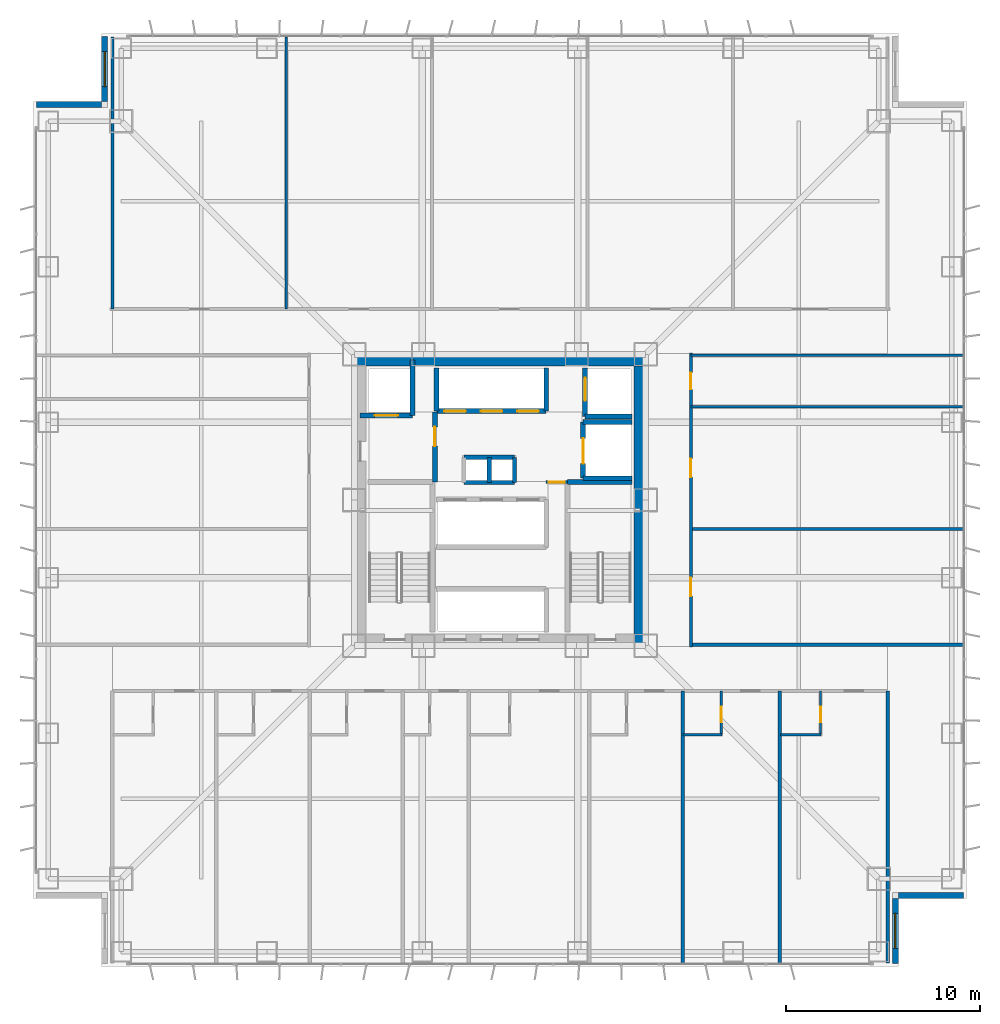
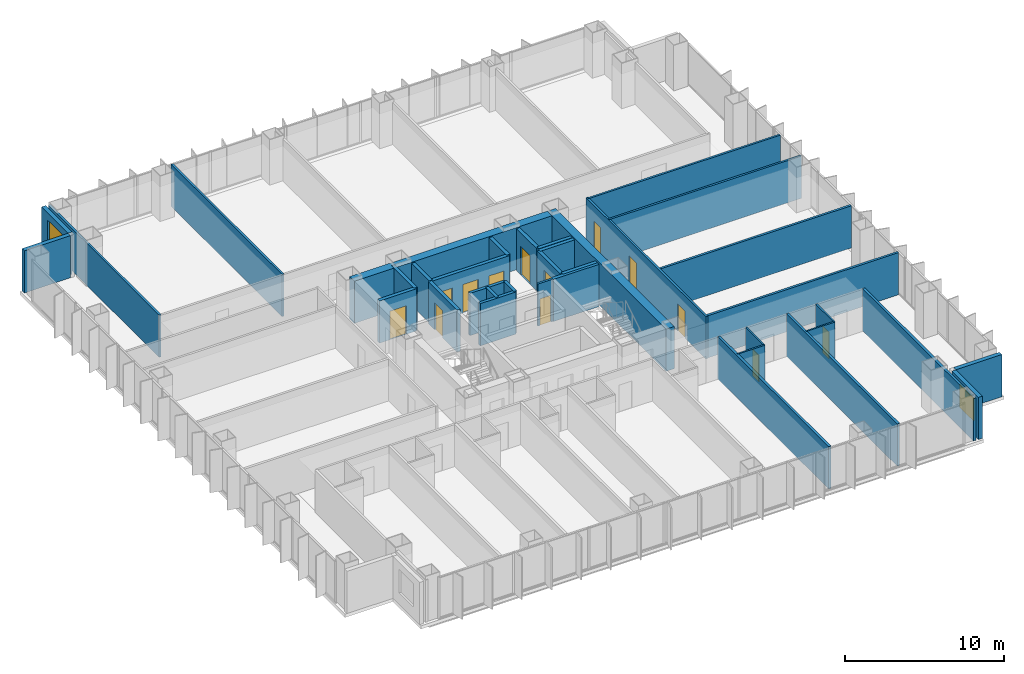
# One storey, part 15 of 19: 37 walls, 13 doors, 2 windows, 15 openings.
"""IFC4 building model written with IfcOpenShell, lengths in metres."""

from ifc_helpers import new_model, si_unit, direction, frame, frame_2d, origin, place, context, subcontext, project, spatial, rectangle, extrude, material, layer, layer_set, type_object, element, fill, save


model = new_model("IFC4")

# Units and contexts
model_context = context("Model", 3, precision=1e-05, world=origin(), true_north=direction((0.0, 1.0)))
body_context = subcontext(model_context, "Body", "Model", "MODEL_VIEW")
ifc_project = project(units=[si_unit("LENGTHUNIT", "METRE"), si_unit("AREAUNIT", "SQUARE_METRE"), si_unit("VOLUMEUNIT", "CUBIC_METRE"), si_unit("PLANEANGLEUNIT", "RADIAN"), si_unit("MASSUNIT", "GRAM", prefix="KILO")], contexts=[model_context])

# Site, building, storey
site_placement = place(None, origin())
site = spatial("IfcSite", under=ifc_project, at=site_placement, CompositionType="ELEMENT")
building_placement = place(site_placement, origin())
building = spatial("IfcBuilding", under=site, at=building_placement, Name="Trevonay Congress Spire", CompositionType="ELEMENT")
storey_placement = place(building_placement, frame((0.0, 0.0, 58.5)))
storey = spatial("IfcBuildingStorey", under=building, at=storey_placement, Name="L14", CompositionType="ELEMENT", Elevation=58.5)

# Wall, opening, door
ifc_material_1 = material(Name="Concrete C40/50", Category="concrete")
ifc_layer_1 = layer(ifc_material_1, 0.1201171875, Name="Concrete C40/50")
ifc_layer_set_1 = layer_set([ifc_layer_1], Name="Concrete C40/50")
wall_type_1 = type_object("IfcWallType", Name="WAL-BATH-120", PredefinedType="PLUMBINGWALL", material=ifc_layer_set_1)
wall_1_placement = place(storey_placement, frame((11.388916015625, -12.080078125, 0.0), z_axis=(0.0, 0.0, 1.0), x_axis=(0.0, 1.0, 0.0)))
wall_1 = element("IfcWall", 1, at=wall_1_placement, inside=storey, type_object=wall_type_1, Name="L14 interior wall WH-L14S-BS7", PredefinedType="PLUMBINGWALL", context=body_context, shape_type="SweptSolid", body=[
    extrude(rectangle(XDim=2.25, YDim=0.1201171875, at=frame_2d((1.125, 0.0))), origin(), (0.0, 0.0, 1.0), 3.25),
])
opening_1_placement = place(wall_1_placement, frame((0.64990234375, 0.0, 0.0)))
opening_1 = element("IfcOpeningElement", 2, at=opening_1_placement, cuts=wall_1, Name="Opening D11", PredefinedType="OPENING", context=body_context, shape_type="SweptSolid", body=[
    extrude(rectangle(XDim=0.800048828125, YDim=2.050048828125, at=frame_2d((0.39990234375, 1.02490234375))), frame((0.0, 0.070068359375, 0.0), z_axis=(0.0, -1.0, 0.0), x_axis=(1.0, 0.0, 0.0)), (0.0, 0.0, 1.0), 0.14013671875),
])
ifc_material_2 = material(Name="Pale Anodised Aluminium EN AW-6063-T6", Category="aluminium")
door_type_1 = type_object("IfcDoorType", Name="DOR-BATH-80", OperationType="NOTDEFINED", PredefinedType="DOOR", material=ifc_material_2)
door_1_placement = place(opening_1_placement, origin())
door_1 = element("IfcDoor", 3, at=door_1_placement, inside=storey, type_object=door_type_1, Name="L14 En-suite Bathroom Door", OperationType="SINGLE_SWING_LEFT", OverallHeight=2.050048828125, OverallWidth=0.800048828125, PredefinedType="DOOR", context=body_context, shape_type="SweptSolid", body=[
    extrude(rectangle(XDim=0.800048828125, YDim=2.050048828125, at=frame_2d((0.39990234375, 1.02490234375))), frame((0.0, 0.02490234375, 0.0), z_axis=(0.0, -1.0, 0.0), x_axis=(1.0, 0.0, 0.0)), (0.0, 0.0, 1.0), 0.050048828125),
])
fill(opening_1, door_1)

# Wall
wall_2_placement = place(storey_placement, frame((9.429931640625, -12.080078125, 0.0), z_axis=(0.0, 0.0, 1.0), x_axis=(1.0, 0.0, 0.0)))
element("IfcWall", 4, at=wall_2_placement, inside=storey, type_object=wall_type_1, Name="L14 interior wall WH-L14S-BF7", PredefinedType="PLUMBINGWALL", context=body_context, shape_type="SweptSolid", body=[
    extrude(rectangle(XDim=1.989013671875, YDim=0.1201171875, at=frame_2d((0.99462890625, 0.0))), origin(), (0.0, 0.0, 1.0), 3.25),
])

# Wall, opening, door
wall_3_placement = place(storey_placement, frame((16.5, -12.080078125, 0.0), z_axis=(0.0, 0.0, 1.0), x_axis=(0.0, 1.0, 0.0)))
wall_3 = element("IfcWall", 5, at=wall_3_placement, inside=storey, type_object=wall_type_1, Name="L14 interior wall WH-L14S-BS8", PredefinedType="PLUMBINGWALL", context=body_context, shape_type="SweptSolid", body=[
    extrude(rectangle(XDim=2.25, YDim=0.1201171875, at=frame_2d((1.125, 0.0))), origin(), (0.0, 0.0, 1.0), 3.25),
])
opening_2_placement = place(wall_3_placement, frame((0.64990234375, 0.0, 0.0)))
opening_2 = element("IfcOpeningElement", 6, at=opening_2_placement, cuts=wall_3, Name="Opening D11", PredefinedType="OPENING", context=body_context, shape_type="SweptSolid", body=[
    extrude(rectangle(XDim=0.800048828125, YDim=2.050048828125, at=frame_2d((0.39990234375, 1.02490234375))), frame((0.0, 0.070068359375, 0.0), z_axis=(0.0, -1.0, 0.0), x_axis=(1.0, 0.0, 0.0)), (0.0, 0.0, 1.0), 0.14013671875),
])
door_2_placement = place(opening_2_placement, origin())
door_2 = element("IfcDoor", 7, at=door_2_placement, inside=storey, type_object=door_type_1, Name="L14 En-suite Bathroom Door", OperationType="SINGLE_SWING_RIGHT", OverallHeight=2.050048828125, OverallWidth=0.800048828125, PredefinedType="DOOR", context=body_context, shape_type="SweptSolid", body=[
    extrude(rectangle(XDim=0.800048828125, YDim=2.050048828125, at=frame_2d((0.39990234375, 1.02490234375))), frame((0.0, 0.02490234375, 0.0), z_axis=(0.0, -1.0, 0.0), x_axis=(1.0, 0.0, 0.0)), (0.0, 0.0, 1.0), 0.050048828125),
])
fill(opening_2, door_2)

# Walls
wall_4_placement = place(storey_placement, frame((14.429931640625, -12.080078125, 0.0), z_axis=(0.0, 0.0, 1.0), x_axis=(1.0, 0.0, 0.0)))
element("IfcWall", 8, at=wall_4_placement, inside=storey, type_object=wall_type_1, Name="L14 interior wall WH-L14S-BF8", PredefinedType="PLUMBINGWALL", context=body_context, shape_type="SweptSolid", body=[
    extrude(rectangle(XDim=2.10009765625, YDim=0.1201171875, at=frame_2d((1.050048828125, 0.0))), origin(), (0.0, 0.0, 1.0), 3.25),
])
ifc_material_3 = material(Name="Concrete C60/75", Category="concrete")
ifc_layer_2 = layer(ifc_material_3, 0.60009765625, Name="Concrete C60/75")
ifc_layer_set_2 = layer_set([ifc_layer_2], Name="Concrete C60/75")
wall_type_2 = type_object("IfcWallType", Name="WAL-CORE-600", PredefinedType="SHEAR", material=ifc_layer_set_2)
for number, where, z_axis, x_axis, name in (
    (9, (-7.5, 7.199951171875, 0.0), (0.0, 0.0, 1.0), (1.0, 0.0, 0.0), "L14 North structural core shear wall"),
    (10, (7.199951171875, -7.5, 0.0), (0.0, 0.0, 1.0), (0.0, 1.0, 0.0), "L14 East structural core shear wall"),
):
    element("IfcWall", number, at=place(storey_placement, frame(where, z_axis=z_axis, x_axis=x_axis)), inside=storey, type_object=wall_type_2, Name=name, PredefinedType="SHEAR", context=body_context, shape_type="SweptSolid", body=[
        extrude(rectangle(XDim=15.0, YDim=0.60009765625, at=frame_2d((7.5, 0.0))), origin(), (0.0, 0.0, 1.0), 3.25),
    ])

# Wall, openings, doors
ifc_layer_3 = layer(ifc_material_1, 0.14990234375, Name="Concrete C40/50")
ifc_layer_set_3 = layer_set([ifc_layer_3], Name="Concrete C40/50")
wall_type_3 = type_object("IfcWallType", Name="WAL-CORR-150", PredefinedType="PARTITIONING", material=ifc_layer_set_3)
wall_5_placement = place(storey_placement, frame((9.830078125, -7.570068359375, 0.0), z_axis=(0.0, 0.0, 1.0), x_axis=(0.0, 1.0, 0.0)))
wall_5 = element("IfcWall", 11, at=wall_5_placement, inside=storey, type_object=wall_type_3, Name="L14 interior wall WP-L14E-COR", PredefinedType="PARTITIONING", context=body_context, shape_type="SweptSolid", body=[
    extrude(rectangle(XDim=15.14013671875, YDim=0.14990234375, at=frame_2d((7.570068359375, 0.0))), origin(), (0.0, 0.0, 1.0), 3.25),
])
opening_3_placement = place(wall_5_placement, frame((2.6201171875, 0.0, 0.0)))
opening_3 = element("IfcOpeningElement", 12, at=opening_3_placement, cuts=wall_5, Name="Opening D07", PredefinedType="OPENING", context=body_context, shape_type="SweptSolid", body=[
    extrude(rectangle(XDim=0.949951171875, YDim=2.06005859375, at=frame_2d((0.47509765625, 1.030029296875))), frame((0.0, 0.0849609375, 0.0), z_axis=(0.0, -1.0, 0.0), x_axis=(1.0, 0.0, 0.0)), (0.0, 0.0, 1.0), 0.169921875),
])
opening_4_placement = place(wall_5_placement, frame((8.7451171875, 0.0, 0.0)))
opening_4 = element("IfcOpeningElement", 13, at=opening_4_placement, cuts=wall_5, Name="Opening D07", PredefinedType="OPENING", context=body_context, shape_type="SweptSolid", body=[
    extrude(rectangle(XDim=0.949951171875, YDim=2.06005859375, at=frame_2d((0.47509765625, 1.030029296875))), frame((0.0, 0.0849609375, 0.0), z_axis=(0.0, -1.0, 0.0), x_axis=(1.0, 0.0, 0.0)), (0.0, 0.0, 1.0), 0.169921875),
])
opening_5_placement = place(wall_5_placement, frame((13.27001953125, 0.0, 0.0)))
opening_5 = element("IfcOpeningElement", 14, at=opening_5_placement, cuts=wall_5, Name="Opening D10", PredefinedType="OPENING", context=body_context, shape_type="SweptSolid", body=[
    extrude(rectangle(XDim=0.85009765625, YDim=2.050048828125, at=frame_2d((0.425048828125, 1.02490234375))), frame((0.0, 0.0849609375, 0.0), z_axis=(0.0, -1.0, 0.0), x_axis=(1.0, 0.0, 0.0)), (0.0, 0.0, 1.0), 0.169921875),
])
door_type_2 = type_object("IfcDoorType", Name="DOR-OFFICE-95", OperationType="NOTDEFINED", PredefinedType="DOOR", material=ifc_material_2)
door_3_placement = place(opening_3_placement, origin())
door_3 = element("IfcDoor", 15, at=door_3_placement, inside=storey, type_object=door_type_2, Name="L14 Housekeeping and Linen Room Door", OperationType="SINGLE_SWING_RIGHT", OverallHeight=2.06005859375, OverallWidth=0.949951171875, PredefinedType="DOOR", context=body_context, shape_type="SweptSolid", body=[
    extrude(rectangle(XDim=0.949951171875, YDim=2.06005859375, at=frame_2d((0.47509765625, 1.030029296875))), frame((0.0, 0.02490234375, 0.0), z_axis=(0.0, -1.0, 0.0), x_axis=(1.0, 0.0, 0.0)), (0.0, 0.0, 1.0), 0.050048828125),
])
fill(opening_3, door_3)
door_4_placement = place(opening_4_placement, origin())
door_4 = element("IfcDoor", 16, at=door_4_placement, inside=storey, type_object=door_type_2, Name="L14 Club Pantry Kitchen Door", OperationType="SINGLE_SWING_LEFT", OverallHeight=2.06005859375, OverallWidth=0.949951171875, PredefinedType="DOOR", context=body_context, shape_type="SweptSolid", body=[
    extrude(rectangle(XDim=0.949951171875, YDim=2.06005859375, at=frame_2d((0.47509765625, 1.030029296875))), frame((0.0, 0.02490234375, 0.0), z_axis=(0.0, -1.0, 0.0), x_axis=(1.0, 0.0, 0.0)), (0.0, 0.0, 1.0), 0.050048828125),
])
fill(opening_4, door_4)
door_type_3 = type_object("IfcDoorType", Name="DOR-WC-85", OperationType="NOTDEFINED", PredefinedType="DOOR", material=ifc_material_2)
door_5_placement = place(opening_5_placement, origin())
door_5 = element("IfcDoor", 17, at=door_5_placement, inside=storey, type_object=door_type_3, Name="L14 Female Restroom WC Door", OperationType="SINGLE_SWING_RIGHT", OverallHeight=2.050048828125, OverallWidth=0.85009765625, PredefinedType="DOOR", context=body_context, shape_type="SweptSolid", body=[
    extrude(rectangle(XDim=0.85009765625, YDim=2.050048828125, at=frame_2d((0.425048828125, 1.02490234375))), frame((0.0, 0.02490234375, 0.0), z_axis=(0.0, -1.0, 0.0), x_axis=(1.0, 0.0, 0.0)), (0.0, 0.0, 1.0), 0.050048828125),
])
fill(opening_5, door_5)

# Wall, opening, window
ifc_material_4 = material(Name="Precast concrete C40/50", Category="concrete")
ifc_layer_4 = layer(ifc_material_4, 0.300048828125, Name="Precast concrete C40/50")
ifc_layer_set_4 = layer_set([ifc_layer_4], Name="Precast concrete C40/50")
wall_type_4 = type_object("IfcWallType", Name="WAL-EXT-PRECAST-300", PredefinedType="SOLIDWALL", material=ifc_layer_set_4)
wall_6_placement = place(storey_placement, frame((20.35009765625, -23.85009765625, 0.0), z_axis=(0.0, 0.0, 1.0), x_axis=(0.0, 1.0, 0.0)))
wall_6 = element("IfcWall", 18, at=wall_6_placement, inside=storey, type_object=wall_type_4, Name="L14 SE re-entrant notch exterior wall 1", PredefinedType="SOLIDWALL", context=body_context, shape_type="SweptSolid", body=[
    extrude(rectangle(XDim=3.35009765625, YDim=0.300048828125, at=frame_2d((1.675048828125, 0.0))), origin(), (0.0, 0.0, 1.0), 3.25),
])
opening_6_placement = place(wall_6_placement, frame((0.77490234375, 0.0, 0.89990234375)))
opening_6 = element("IfcOpeningElement", 19, at=opening_6_placement, cuts=wall_6, Name="Opening WN01", PredefinedType="OPENING", context=body_context, shape_type="SweptSolid", body=[
    extrude(rectangle(XDim=1.800048828125, YDim=1.800048828125, at=frame_2d((0.89990234375, 0.89990234375))), frame((0.0, 0.16015625, 0.0), z_axis=(0.0, -1.0, 0.0), x_axis=(1.0, 0.0, 0.0)), (0.0, 0.0, 1.0), 0.320068359375),
])
ifc_material_5 = material(Name="Insulated Low-E Vision Glass IGU", Category="glass")
window_type = type_object("IfcWindowType", Name="WIN-HOTEL-180X180", PartitioningType="SINGLE_PANEL", PredefinedType="WINDOW", material=ifc_material_5)
window_1_placement = place(opening_6_placement, origin())
window_1 = element("IfcWindow", 20, at=window_1_placement, inside=storey, type_object=window_type, Name="L14 SE corner notch window", OverallHeight=1.800048828125, OverallWidth=1.800048828125, PartitioningType="SINGLE_PANEL", PredefinedType="WINDOW", context=body_context, shape_type="SweptSolid", body=[
    extrude(rectangle(XDim=1.800048828125, YDim=1.800048828125, at=frame_2d((0.89990234375, 0.89990234375))), frame((0.0, 0.030029296875, 0.0), z_axis=(0.0, -1.0, 0.0), x_axis=(1.0, 0.0, 0.0)), (0.0, 0.0, 1.0), 0.06005859375),
])
fill(opening_6, window_1)

# Wall
wall_7_placement = place(storey_placement, frame((23.85009765625, -20.35009765625, 0.0), z_axis=(0.0, 0.0, 1.0), x_axis=(-1.0, 0.0, 0.0)))
element("IfcWall", 21, at=wall_7_placement, inside=storey, type_object=wall_type_4, Name="L14 SE re-entrant notch exterior wall 2", PredefinedType="SOLIDWALL", context=body_context, shape_type="SweptSolid", body=[
    extrude(rectangle(XDim=3.35009765625, YDim=0.300048828125, at=frame_2d((1.675048828125, 0.0))), origin(), (0.0, 0.0, 1.0), 3.25),
])

# Wall, opening, window
wall_8_placement = place(storey_placement, frame((-20.35009765625, 23.85009765625, 0.0), z_axis=(0.0, 0.0, 1.0), x_axis=(0.0, -1.0, 0.0)))
wall_8 = element("IfcWall", 22, at=wall_8_placement, inside=storey, type_object=wall_type_4, Name="L14 NW re-entrant notch exterior wall 1", PredefinedType="SOLIDWALL", context=body_context, shape_type="SweptSolid", body=[
    extrude(rectangle(XDim=3.35009765625, YDim=0.300048828125, at=frame_2d((1.675048828125, 0.0))), origin(), (0.0, 0.0, 1.0), 3.25),
])
opening_7_placement = place(wall_8_placement, frame((0.77490234375, 0.0, 0.89990234375)))
opening_7 = element("IfcOpeningElement", 23, at=opening_7_placement, cuts=wall_8, Name="Opening WN01", PredefinedType="OPENING", context=body_context, shape_type="SweptSolid", body=[
    extrude(rectangle(XDim=1.800048828125, YDim=1.800048828125, at=frame_2d((0.89990234375, 0.89990234375))), frame((0.0, 0.16015625, 0.0), z_axis=(0.0, -1.0, 0.0), x_axis=(1.0, 0.0, 0.0)), (0.0, 0.0, 1.0), 0.320068359375),
])
window_2_placement = place(opening_7_placement, origin())
window_2 = element("IfcWindow", 24, at=window_2_placement, inside=storey, type_object=window_type, Name="L14 NW corner notch window", OverallHeight=1.800048828125, OverallWidth=1.800048828125, PartitioningType="SINGLE_PANEL", PredefinedType="WINDOW", context=body_context, shape_type="SweptSolid", body=[
    extrude(rectangle(XDim=1.800048828125, YDim=1.800048828125, at=frame_2d((0.89990234375, 0.89990234375))), frame((0.0, 0.030029296875, 0.0), z_axis=(0.0, -1.0, 0.0), x_axis=(1.0, 0.0, 0.0)), (0.0, 0.0, 1.0), 0.06005859375),
])
fill(opening_7, window_2)

# Walls
wall_9_placement = place(storey_placement, frame((-23.85009765625, 20.35009765625, 0.0), z_axis=(0.0, 0.0, 1.0), x_axis=(1.0, 0.0, 0.0)))
element("IfcWall", 25, at=wall_9_placement, inside=storey, type_object=wall_type_4, Name="L14 NW re-entrant notch exterior wall 2", PredefinedType="SOLIDWALL", context=body_context, shape_type="SweptSolid", body=[
    extrude(rectangle(XDim=3.35009765625, YDim=0.300048828125, at=frame_2d((1.675048828125, 0.0))), origin(), (0.0, 0.0, 1.0), 3.25),
])
ifc_layer_5 = layer(ifc_material_1, 0.179931640625, Name="Concrete C40/50")
ifc_layer_set_5 = layer_set([ifc_layer_5], Name="Concrete C40/50")
wall_type_5 = type_object("IfcWallType", Name="WAL-HOTEL-180", PredefinedType="PARTITIONING", material=ifc_layer_set_5)
for number, where, z_axis, x_axis, name in (
    (26, (9.39990234375, -23.820068359375, 0.0), (0.0, 0.0, 1.0), (0.0, 1.0, 0.0), "L14 interior wall WH-L14S-DIV7"),
    (27, (14.39990234375, -23.820068359375, 0.0), (0.0, 0.0, 1.0), (0.0, 1.0, 0.0), "L14 interior wall WH-L14S-DIV8"),
    (28, (19.949951171875, -23.820068359375, 0.0), (0.0, 0.0, 1.0), (0.0, 1.0, 0.0), "L14 interior wall WH-L14S-DIV9"),
):
    element("IfcWall", number, at=place(storey_placement, frame(where, z_axis=z_axis, x_axis=x_axis)), inside=storey, type_object=wall_type_5, Name=name, PredefinedType="PARTITIONING", context=body_context, shape_type="SweptSolid", body=[
        extrude(rectangle(XDim=13.989990234375, YDim=0.179931640625, at=frame_2d((6.9951171875, 0.0))), origin(), (0.0, 0.0, 1.0), 3.25),
    ])

# Wall, opening, door
ifc_layer_6 = layer(ifc_material_1, 0.14990234375, Name="Concrete C40/50")
ifc_layer_set_6 = layer_set([ifc_layer_6], Name="Concrete C40/50")
wall_type_6 = type_object("IfcWallType", Name="WAL-PART-150", PredefinedType="PARTITIONING", material=ifc_layer_set_6)
wall_10_placement = place(storey_placement, frame((2.3798828125, 0.919921875, 0.0), z_axis=(0.0, 0.0, 1.0), x_axis=(1.0, 0.0, 0.0)))
wall_10 = element("IfcWall", 29, at=wall_10_placement, inside=storey, type_object=wall_type_6, Name="L14 interior wall CW-CSRV-N-L14", PredefinedType="PARTITIONING", context=body_context, shape_type="SweptSolid", body=[
    extrude(rectangle(XDim=1.090087890625, YDim=0.14990234375, at=frame_2d((0.544921875, 0.0))), origin(), (0.0, 0.0, 1.0), 3.25),
])
opening_8_placement = place(wall_10_placement, frame((0.135009765625, 0.0, 0.0)))
opening_8 = element("IfcOpeningElement", 30, at=opening_8_placement, cuts=wall_10, Name="Opening D13", PredefinedType="OPENING", context=body_context, shape_type="SweptSolid", body=[
    extrude(rectangle(XDim=0.820068359375, YDim=2.050048828125, at=frame_2d((0.41015625, 1.02490234375))), frame((0.0, 0.0849609375, 0.0), z_axis=(0.0, -1.0, 0.0), x_axis=(1.0, 0.0, 0.0)), (0.0, 0.0, 1.0), 0.169921875),
])
ifc_material_6 = material(Name="Steel ASTM A572 Grade 50", Category="steel")
door_type_4 = type_object("IfcDoorType", Name="DOR-UTIL-80", OperationType="NOTDEFINED", PredefinedType="DOOR", material=ifc_material_6)
door_6_placement = place(opening_8_placement, origin())
door_6 = element("IfcDoor", 31, at=door_6_placement, inside=storey, type_object=door_type_4, Name="L14 Core Service Pocket Door", OperationType="SINGLE_SWING_RIGHT", OverallHeight=2.050048828125, OverallWidth=0.820068359375, PredefinedType="DOOR", context=body_context, shape_type="SweptSolid", body=[
    extrude(rectangle(XDim=0.820068359375, YDim=2.050048828125, at=frame_2d((0.41015625, 1.02490234375))), frame((0.0, 0.02490234375, 0.0), z_axis=(0.0, -1.0, 0.0), x_axis=(1.0, 0.0, 0.0)), (0.0, 0.0, 1.0), 0.050048828125),
])
fill(opening_8, door_6)

# Walls
for number, where, z_axis, x_axis, name in (
    (32, (-19.949951171875, 9.830078125, 0.0), (0.0, 0.0, 1.0), (0.0, 1.0, 0.0), "L14 interior wall WP-L14N-DIV1"),
    (33, (-11.0, 9.830078125, 0.0), (0.0, 0.0, 1.0), (0.0, 1.0, 0.0), "L14 interior wall WP-L14N-DIV2"),
    (34, (9.830078125, 4.800048828125, 0.0), (0.0, 0.0, 1.0), (1.0, 0.0, 0.0), "L14 interior wall WP-L14E-DIV3"),
    (35, (9.830078125, 7.449951171875, 0.0), (0.0, 0.0, 1.0), (1.0, 0.0, 0.0), "L14 interior wall WP-L14E-DIV4"),
):
    element("IfcWall", number, at=place(storey_placement, frame(where, z_axis=z_axis, x_axis=x_axis)), inside=storey, type_object=wall_type_6, Name=name, PredefinedType="PARTITIONING", context=body_context, shape_type="SweptSolid", body=[
        extrude(rectangle(XDim=13.989990234375, YDim=0.14990234375, at=frame_2d((6.9951171875, 0.0))), origin(), (0.0, 0.0, 1.0), 3.25),
    ])
ifc_layer_7 = layer(ifc_material_1, 0.219970703125, Name="Concrete C40/50")
ifc_layer_set_7 = layer_set([ifc_layer_7], Name="Concrete C40/50")
wall_type_7 = type_object("IfcWallType", Name="WAL-SHAFT-220", PredefinedType="PARTITIONING", material=ifc_layer_set_7)
for number, where, z_axis, x_axis, name in (
    (36, (-1.85009765625, 2.199951171875, 0.0), (0.0, 0.0, 1.0), (1.0, 0.0, 0.0), "L14 interior shaft wall WSH-L14-RSR-N"),
    (37, (-1.85009765625, 0.89990234375, 0.0), (0.0, 0.0, 1.0), (1.0, 0.0, 0.0), "L14 interior shaft wall WSH-L14-RSR-S"),
):
    element("IfcWall", number, at=place(storey_placement, frame(where, z_axis=z_axis, x_axis=x_axis)), inside=storey, type_object=wall_type_7, Name=name, PredefinedType="PARTITIONING", context=body_context, shape_type="SweptSolid", body=[
        extrude(rectangle(XDim=2.60009765625, YDim=0.219970703125, at=frame_2d((1.300048828125, 0.0))), origin(), (0.0, 0.0, 1.0), 3.25),
    ])
for number, where, z_axis, x_axis, name in (
    (38, (-0.550048828125, 0.89990234375, 0.0), (0.0, 0.0, 1.0), (0.0, 1.0, 0.0), "L14 interior shaft wall WSH-L14-RSR-M"),
    (39, (0.75, 0.89990234375, 0.0), (0.0, 0.0, 1.0), (0.0, 1.0, 0.0), "L14 interior shaft wall WSH-L14-RSR-E"),
):
    element("IfcWall", number, at=place(storey_placement, frame(where, z_axis=z_axis, x_axis=x_axis)), inside=storey, type_object=wall_type_7, Name=name, PredefinedType="PARTITIONING", context=body_context, shape_type="SweptSolid", body=[
        extrude(rectangle(XDim=1.300048828125, YDim=0.219970703125, at=frame_2d((0.64990234375, 0.0))), origin(), (0.0, 0.0, 1.0), 3.25),
    ])

# Wall, openings, doors
ifc_layer_8 = layer(ifc_material_1, 0.25, Name="Concrete C40/50")
ifc_layer_set_8 = layer_set([ifc_layer_8], Name="Concrete C40/50")
wall_type_8 = type_object("IfcWallType", Name="WAL-SHAFT-250", PredefinedType="SHEAR", material=ifc_layer_set_8)
wall_11_placement = place(storey_placement, frame((-3.260009765625, 4.580078125, 0.0), z_axis=(0.0, 0.0, 1.0), x_axis=(1.0, 0.0, 0.0)))
wall_11 = element("IfcWall", 40, at=wall_11_placement, inside=storey, type_object=wall_type_8, Name="L14 interior shaft wall WSH-L14-B3-S", PredefinedType="SHEAR", context=body_context, shape_type="SweptSolid", body=[
    extrude(rectangle(XDim=5.639892578125, YDim=0.25, at=frame_2d((2.81982421875, 0.0))), origin(), (0.0, 0.0, 1.0), 3.25),
])
opening_9_placement = place(wall_11_placement, frame((0.39990234375, 0.0, 0.0)))
opening_9 = element("IfcOpeningElement", 41, at=opening_9_placement, cuts=wall_11, Name="Opening LD03", PredefinedType="OPENING", context=body_context, shape_type="SweptSolid", body=[
    extrude(rectangle(XDim=1.10009765625, YDim=2.199951171875, at=frame_2d((0.550048828125, 1.10009765625))), frame((0.0, 0.135009765625, 0.0), z_axis=(0.0, -1.0, 0.0), x_axis=(1.0, 0.0, 0.0)), (0.0, 0.0, 1.0), 0.27001953125),
])
opening_10_placement = place(wall_11_placement, frame((2.280029296875, 0.0, 0.0)))
opening_10 = element("IfcOpeningElement", 42, at=opening_10_placement, cuts=wall_11, Name="Opening LD03", PredefinedType="OPENING", context=body_context, shape_type="SweptSolid", body=[
    extrude(rectangle(XDim=1.10009765625, YDim=2.199951171875, at=frame_2d((0.550048828125, 1.10009765625))), frame((0.0, 0.135009765625, 0.0), z_axis=(0.0, -1.0, 0.0), x_axis=(1.0, 0.0, 0.0)), (0.0, 0.0, 1.0), 0.27001953125),
])
opening_11_placement = place(wall_11_placement, frame((4.159912109375, 0.0, 0.0)))
opening_11 = element("IfcOpeningElement", 43, at=opening_11_placement, cuts=wall_11, Name="Opening LD03", PredefinedType="OPENING", context=body_context, shape_type="SweptSolid", body=[
    extrude(rectangle(XDim=1.10009765625, YDim=2.199951171875, at=frame_2d((0.550048828125, 1.10009765625))), frame((0.0, 0.135009765625, 0.0), z_axis=(0.0, -1.0, 0.0), x_axis=(1.0, 0.0, 0.0)), (0.0, 0.0, 1.0), 0.27001953125),
])
door_type_5 = type_object("IfcDoorType", Name="DOR-LIFT-LD03", OperationType="DOUBLE_DOOR_SLIDING", PredefinedType="DOOR", material=ifc_material_2)
door_7_placement = place(opening_9_placement, origin())
door_7 = element("IfcDoor", 44, at=door_7_placement, inside=storey, type_object=door_type_5, Name="L14 Passenger lift PL-07 landing door", OperationType="DOUBLE_DOOR_SLIDING", OverallHeight=2.199951171875, OverallWidth=1.10009765625, PredefinedType="DOOR", context=body_context, shape_type="SweptSolid", body=[
    extrude(rectangle(XDim=1.10009765625, YDim=2.199951171875, at=frame_2d((0.550048828125, 1.10009765625))), frame((0.0, 0.02490234375, 0.0), z_axis=(0.0, -1.0, 0.0), x_axis=(1.0, 0.0, 0.0)), (0.0, 0.0, 1.0), 0.050048828125),
])
fill(opening_9, door_7)
door_8_placement = place(opening_10_placement, origin())
door_8 = element("IfcDoor", 45, at=door_8_placement, inside=storey, type_object=door_type_5, Name="L14 Passenger lift PL-08 landing door", OperationType="DOUBLE_DOOR_SLIDING", OverallHeight=2.199951171875, OverallWidth=1.10009765625, PredefinedType="DOOR", context=body_context, shape_type="SweptSolid", body=[
    extrude(rectangle(XDim=1.10009765625, YDim=2.199951171875, at=frame_2d((0.550048828125, 1.10009765625))), frame((0.0, 0.02490234375, 0.0), z_axis=(0.0, -1.0, 0.0), x_axis=(1.0, 0.0, 0.0)), (0.0, 0.0, 1.0), 0.050048828125),
])
fill(opening_10, door_8)
door_9_placement = place(opening_11_placement, origin())
door_9 = element("IfcDoor", 46, at=door_9_placement, inside=storey, type_object=door_type_5, Name="L14 Passenger lift PL-09 landing door", OperationType="DOUBLE_DOOR_SLIDING", OverallHeight=2.199951171875, OverallWidth=1.10009765625, PredefinedType="DOOR", context=body_context, shape_type="SweptSolid", body=[
    extrude(rectangle(XDim=1.10009765625, YDim=2.199951171875, at=frame_2d((0.550048828125, 1.10009765625))), frame((0.0, 0.02490234375, 0.0), z_axis=(0.0, -1.0, 0.0), x_axis=(1.0, 0.0, 0.0)), (0.0, 0.0, 1.0), 0.050048828125),
])
fill(opening_11, door_9)

# Walls
for number, where, z_axis, x_axis, name in (
    (47, (-3.260009765625, 4.580078125, 0.0), (0.0, 0.0, 1.0), (0.0, 1.0, 0.0), "L14 interior shaft wall WSH-L14-B3-W"),
    (48, (2.3798828125, 4.580078125, 0.0), (0.0, 0.0, 1.0), (0.0, 1.0, 0.0), "L14 interior shaft wall WSH-L14-B3-E"),
):
    element("IfcWall", number, at=place(storey_placement, frame(where, z_axis=z_axis, x_axis=x_axis)), inside=storey, type_object=wall_type_8, Name=name, PredefinedType="SHEAR", context=body_context, shape_type="SweptSolid", body=[
        extrude(rectangle(XDim=2.219970703125, YDim=0.25, at=frame_2d((1.10986328125, 0.0))), origin(), (0.0, 0.0, 1.0), 3.25),
    ])

# Wall, opening, door
wall_12_placement = place(storey_placement, frame((-7.199951171875, 4.35009765625, 0.0), z_axis=(0.0, 0.0, 1.0), x_axis=(1.0, 0.0, 0.0)))
wall_12 = element("IfcWall", 49, at=wall_12_placement, inside=storey, type_object=wall_type_8, Name="L14 interior shaft wall WSH-L14-FF1-S", PredefinedType="SHEAR", context=body_context, shape_type="SweptSolid", body=[
    extrude(rectangle(XDim=2.699951171875, YDim=0.25, at=frame_2d((1.35009765625, 0.0))), origin(), (0.0, 0.0, 1.0), 3.25),
])
opening_12_placement = place(wall_12_placement, frame((0.75, 0.0, 0.0)))
opening_12 = element("IfcOpeningElement", 50, at=opening_12_placement, cuts=wall_12, Name="Opening LD04", PredefinedType="OPENING", context=body_context, shape_type="SweptSolid", body=[
    extrude(rectangle(XDim=1.199951171875, YDim=2.199951171875, at=frame_2d((0.60009765625, 1.10009765625))), frame((0.0, 0.135009765625, 0.0), z_axis=(0.0, -1.0, 0.0), x_axis=(1.0, 0.0, 0.0)), (0.0, 0.0, 1.0), 0.27001953125),
])
door_type_6 = type_object("IfcDoorType", Name="DOR-LIFT-LD04", OperationType="DOUBLE_DOOR_SLIDING", PredefinedType="DOOR", material=ifc_material_6)
door_10_placement = place(opening_12_placement, origin())
door_10 = element("IfcDoor", 51, at=door_10_placement, inside=storey, type_object=door_type_6, Name="L14 Firefighting lift FFL-01 landing door", OperationType="DOUBLE_DOOR_SLIDING", OverallHeight=2.199951171875, OverallWidth=1.199951171875, PredefinedType="DOOR", context=body_context, shape_type="SweptSolid", body=[
    extrude(rectangle(XDim=1.199951171875, YDim=2.199951171875, at=frame_2d((0.60009765625, 1.10009765625))), frame((0.0, 0.02490234375, 0.0), z_axis=(0.0, -1.0, 0.0), x_axis=(1.0, 0.0, 0.0)), (0.0, 0.0, 1.0), 0.050048828125),
])
fill(opening_12, door_10)

# Walls
wall_13_placement = place(storey_placement, frame((-4.5, 4.35009765625, 0.0), z_axis=(0.0, 0.0, 1.0), x_axis=(0.0, 1.0, 0.0)))
element("IfcWall", 52, at=wall_13_placement, inside=storey, type_object=wall_type_8, Name="L14 interior shaft wall WSH-L14-FF1-E", PredefinedType="SHEAR", context=body_context, shape_type="SweptSolid", body=[
    extrude(rectangle(XDim=2.849853515625, YDim=0.25, at=frame_2d((1.4248046875, 0.0))), origin(), (0.0, 0.0, 1.0), 3.25),
])
wall_14_placement = place(storey_placement, frame((4.3798828125, 4.300048828125, 0.0), z_axis=(0.0, 0.0, 1.0), x_axis=(1.0, 0.0, 0.0)))
element("IfcWall", 53, at=wall_14_placement, inside=storey, type_object=wall_type_8, Name="L14 interior shaft wall WSH-L14-FF2-S", PredefinedType="SHEAR", context=body_context, shape_type="SweptSolid", body=[
    extrude(rectangle(XDim=2.420166015625, YDim=0.25, at=frame_2d((1.2099609375, 0.0))), origin(), (0.0, 0.0, 1.0), 3.25),
])

# Wall, opening, door
wall_15_placement = place(storey_placement, frame((4.3798828125, 4.300048828125, 0.0), z_axis=(0.0, 0.0, 1.0), x_axis=(0.0, 1.0, 0.0)))
wall_15 = element("IfcWall", 54, at=wall_15_placement, inside=storey, type_object=wall_type_8, Name="L14 interior shaft wall WSH-L14-FF2-W", PredefinedType="SHEAR", context=body_context, shape_type="SweptSolid", body=[
    extrude(rectangle(XDim=2.5, YDim=0.25, at=frame_2d((1.25, 0.0))), origin(), (0.0, 0.0, 1.0), 3.25),
])
opening_13_placement = place(wall_15_placement, frame((0.800048828125, 0.0, 0.0)))
opening_13 = element("IfcOpeningElement", 55, at=opening_13_placement, cuts=wall_15, Name="Opening LD04", PredefinedType="OPENING", context=body_context, shape_type="SweptSolid", body=[
    extrude(rectangle(XDim=1.199951171875, YDim=2.199951171875, at=frame_2d((0.60009765625, 1.10009765625))), frame((0.0, 0.135009765625, 0.0), z_axis=(0.0, -1.0, 0.0), x_axis=(1.0, 0.0, 0.0)), (0.0, 0.0, 1.0), 0.27001953125),
])
door_11_placement = place(opening_13_placement, origin())
door_11 = element("IfcDoor", 56, at=door_11_placement, inside=storey, type_object=door_type_6, Name="L14 Firefighting lift FFL-02 landing door", OperationType="DOUBLE_DOOR_SLIDING", OverallHeight=2.199951171875, OverallWidth=1.199951171875, PredefinedType="DOOR", context=body_context, shape_type="SweptSolid", body=[
    extrude(rectangle(XDim=1.199951171875, YDim=2.199951171875, at=frame_2d((0.60009765625, 1.10009765625))), frame((0.0, 0.02490234375, 0.0), z_axis=(0.0, -1.0, 0.0), x_axis=(1.0, 0.0, 0.0)), (0.0, 0.0, 1.0), 0.050048828125),
])
fill(opening_13, door_11)

wall_16_placement = place(storey_placement, frame((4.280029296875, 1.1201171875, 0.0), z_axis=(0.0, 0.0, 1.0), x_axis=(0.0, 1.0, 0.0)))
wall_16 = element("IfcWall", 57, at=wall_16_placement, inside=storey, type_object=wall_type_8, Name="L14 interior shaft wall WSH-L14-SV-W", PredefinedType="SHEAR", context=body_context, shape_type="SweptSolid", body=[
    extrude(rectangle(XDim=2.89990234375, YDim=0.25, at=frame_2d((1.449951171875, 0.0))), origin(), (0.0, 0.0, 1.0), 3.25),
])
opening_14_placement = place(wall_16_placement, frame((0.75, 0.0, 0.0)))
opening_14 = element("IfcOpeningElement", 58, at=opening_14_placement, cuts=wall_16, Name="Opening LD05", PredefinedType="OPENING", context=body_context, shape_type="SweptSolid", body=[
    extrude(rectangle(XDim=1.300048828125, YDim=2.300048828125, at=frame_2d((0.64990234375, 1.14990234375))), frame((0.0, 0.135009765625, 0.0), z_axis=(0.0, -1.0, 0.0), x_axis=(1.0, 0.0, 0.0)), (0.0, 0.0, 1.0), 0.27001953125),
])
door_type_7 = type_object("IfcDoorType", Name="DOR-LIFT-LD05", OperationType="DOUBLE_DOOR_SLIDING", PredefinedType="DOOR", material=ifc_material_6)
door_12_placement = place(opening_14_placement, origin())
door_12 = element("IfcDoor", 59, at=door_12_placement, inside=storey, type_object=door_type_7, Name="L14 Goods lift SVL-01 landing door", OperationType="DOUBLE_DOOR_SLIDING", OverallHeight=2.300048828125, OverallWidth=1.300048828125, PredefinedType="DOOR", context=body_context, shape_type="SweptSolid", body=[
    extrude(rectangle(XDim=1.300048828125, YDim=2.300048828125, at=frame_2d((0.64990234375, 1.14990234375))), frame((0.0, 0.02490234375, 0.0), z_axis=(0.0, -1.0, 0.0), x_axis=(1.0, 0.0, 0.0)), (0.0, 0.0, 1.0), 0.050048828125),
])
fill(opening_14, door_12)

# Walls
for number, where, z_axis, x_axis, name in (
    (60, (4.280029296875, 1.1201171875, 0.0), (0.0, 0.0, 1.0), (1.0, 0.0, 0.0), "L14 interior shaft wall WSH-L14-SV-S"),
    (61, (4.280029296875, 4.02001953125, 0.0), (0.0, 0.0, 1.0), (1.0, 0.0, 0.0), "L14 interior shaft wall WSH-L14-SV-N"),
):
    element("IfcWall", number, at=place(storey_placement, frame(where, z_axis=z_axis, x_axis=x_axis)), inside=storey, type_object=wall_type_8, Name=name, PredefinedType="SHEAR", context=body_context, shape_type="SweptSolid", body=[
        extrude(rectangle(XDim=2.52001953125, YDim=0.25, at=frame_2d((1.260009765625, 0.0))), origin(), (0.0, 0.0, 1.0), 3.25),
    ])

# Wall, opening, door
wall_17_placement = place(storey_placement, frame((-3.35009765625, 0.919921875, 0.0), z_axis=(0.0, 0.0, 1.0), x_axis=(0.0, 1.0, 0.0)))
wall_17 = element("IfcWall", 62, at=wall_17_placement, inside=storey, type_object=wall_type_8, Name="L14 interior wall CW-FFLW-E-L14", PredefinedType="SHEAR", context=body_context, shape_type="SweptSolid", body=[
    extrude(rectangle(XDim=3.6201171875, YDim=0.25, at=frame_2d((1.81005859375, 0.0))), origin(), (0.0, 0.0, 1.0), 3.25),
])
opening_15_placement = place(wall_17_placement, frame((1.85009765625, 0.0, 0.0)))
opening_15 = element("IfcOpeningElement", 63, at=opening_15_placement, cuts=wall_17, Name="Opening D06", PredefinedType="OPENING", context=body_context, shape_type="SweptSolid", body=[
    extrude(rectangle(XDim=1.0, YDim=2.080078125, at=frame_2d((0.5, 1.0400390625))), frame((0.0, 0.135009765625, 0.0), z_axis=(0.0, -1.0, 0.0), x_axis=(1.0, 0.0, 0.0)), (0.0, 0.0, 1.0), 0.27001953125),
])
door_type_8 = type_object("IfcDoorType", Name="DOR-FIRE-100", OperationType="NOTDEFINED", PredefinedType="DOOR", material=ifc_material_6)
door_13_placement = place(opening_15_placement, origin())
door_13 = element("IfcDoor", 64, at=door_13_placement, inside=storey, type_object=door_type_8, Name="L14 Firefighting Core Lobby Transfer Door", OperationType="SINGLE_SWING_LEFT", OverallHeight=2.080078125, OverallWidth=1.0, PredefinedType="DOOR", context=body_context, shape_type="SweptSolid", body=[
    extrude(rectangle(XDim=1.0, YDim=2.080078125, at=frame_2d((0.5, 1.0400390625))), frame((0.0, 0.02490234375, 0.0), z_axis=(0.0, -1.0, 0.0), x_axis=(1.0, 0.0, 0.0)), (0.0, 0.0, 1.0), 0.050048828125),
])
fill(opening_15, door_13)

# Walls
ifc_layer_9 = layer(ifc_material_1, 0.25, Name="Concrete C40/50")
ifc_layer_set_9 = layer_set([ifc_layer_9], Name="Concrete C40/50")
wall_type_9 = type_object("IfcWallType", Name="WAL-SHAFT-LB-250", PredefinedType="SHEAR", material=ifc_layer_set_9)
wall_18_placement = place(storey_placement, frame((3.469970703125, 0.919921875, 0.0), z_axis=(0.0, 0.0, 1.0), x_axis=(1.0, 0.0, 0.0)))
element("IfcWall", 65, at=wall_18_placement, inside=storey, type_object=wall_type_9, Name="L14 interior shaft wall WSH-L14-ST2-N", PredefinedType="SHEAR", context=body_context, shape_type="SweptSolid", body=[
    extrude(rectangle(XDim=3.330078125, YDim=0.25, at=frame_2d((1.6650390625, 0.0))), origin(), (0.0, 0.0, 1.0), 3.25),
])
ifc_layer_10 = layer(ifc_material_1, 0.1650390625, Name="Concrete C40/50")
ifc_layer_set_10 = layer_set([ifc_layer_10], Name="Concrete C40/50")
wall_type_10 = type_object("IfcWallType", Name="WAL-WET-165", PredefinedType="PLUMBINGWALL", material=ifc_layer_set_10)
for number, where, z_axis, x_axis, name in (
    (66, (9.830078125, -7.449951171875, 0.0), (0.0, 0.0, 1.0), (1.0, 0.0, 0.0), "L14 interior wall WP-L14E-DIV1"),
    (67, (9.830078125, -1.5, 0.0), (0.0, 0.0, 1.0), (1.0, 0.0, 0.0), "L14 interior wall WP-L14E-DIV2"),
):
    element("IfcWall", number, at=place(storey_placement, frame(where, z_axis=z_axis, x_axis=x_axis)), inside=storey, type_object=wall_type_10, Name=name, PredefinedType="PLUMBINGWALL", context=body_context, shape_type="SweptSolid", body=[
        extrude(rectangle(XDim=13.989990234375, YDim=0.1650390625, at=frame_2d((6.9951171875, 0.0))), origin(), (0.0, 0.0, 1.0), 3.25),
    ])

save(model, "model.ifc")
